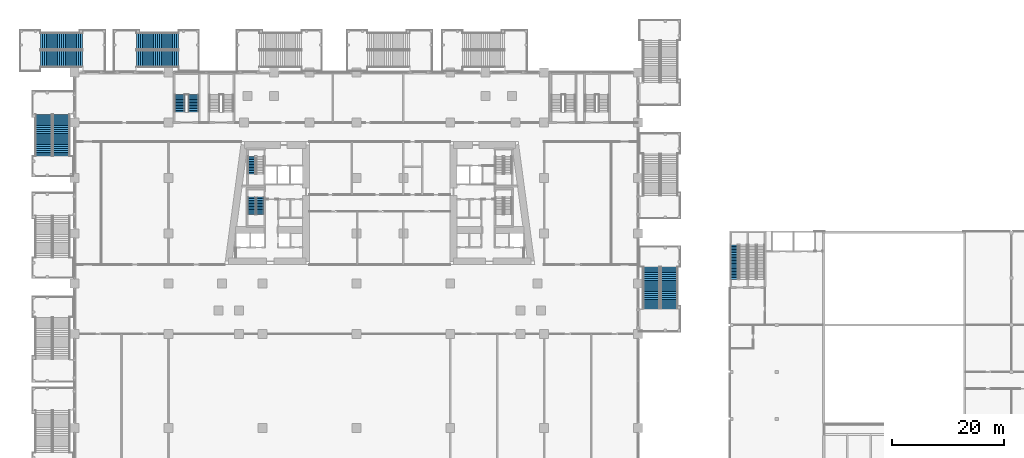
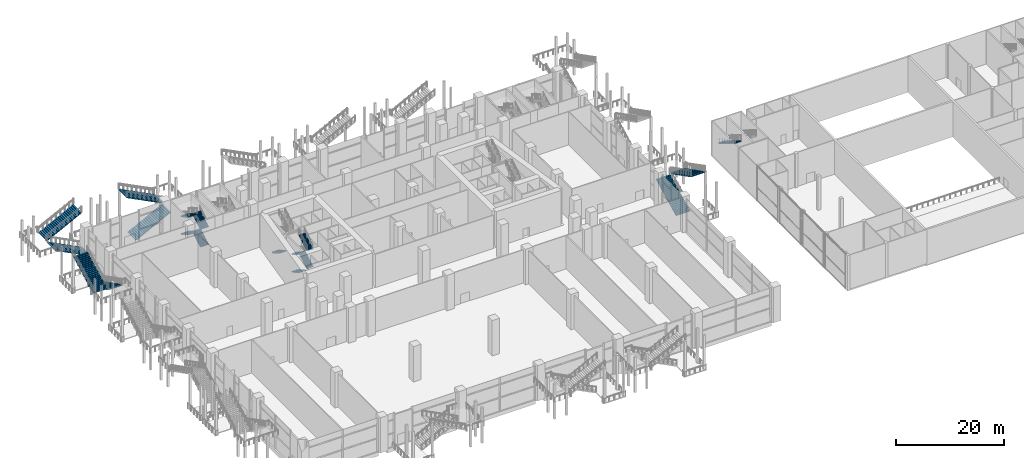
# One storey, part 34 of 52: 18 stair flights, 8 elements without a shape of their own.
"""IFC4 building model written with IfcOpenShell, lengths in metres."""

import ifcopenshell
import ifcopenshell.guid

model = None  # the IFC model being written
_history = None  # IfcOwnerHistory: only IFC2X3 demands one
_inside = {}  # id of a spatial element -> (the spatial element, [elements in it])
_under = {}  # id of a project, library or spatial element -> (it, [spatial elements below it])
_declared = {}  # id of a project -> (the project, [libraries it declares])
_typed = {}  # id of a type object -> (the type object, [elements of that type])
_made_of = {}  # id of a material, layer set ... -> (it, [elements and type objects made of it])


def new_model(schema):
    """Start an empty IFC model of exactly this schema.

    Asked for "IFC4X3", IfcOpenShell would pick the latest addendum, in which some entities
    have other attributes; the version numbers below select the first issue.
    IFC2X3 requires an IfcOwnerHistory on every rooted entity: one is made here for all.
    """
    global model, _history
    if schema == "IFC4X3":
        model = ifcopenshell.file(schema_version=(4, 3, 0, 0))
    else:
        model = ifcopenshell.file(schema=schema)
    _inside.clear()
    _under.clear()
    _declared.clear()
    _typed.clear()
    _made_of.clear()
    _history = None
    if model.schema == "IFC2X3":
        org = make("IfcOrganization", Name="unknown")
        user = make(
            "IfcPersonAndOrganization",
            ThePerson=make("IfcPerson", FamilyName="unknown"),
            TheOrganization=org,
        )
        app = make(
            "IfcApplication",
            ApplicationDeveloper=org,
            Version="unknown",
            ApplicationFullName="unknown",
            ApplicationIdentifier="unknown",
        )
        _history = make(
            "IfcOwnerHistory",
            OwningUser=user,
            OwningApplication=app,
            ChangeAction="ADDED",
            CreationDate=0,
        )
    return model


def make(cls, **values):
    """One entity of the class cls with the attributes given. An attribute that is None is left unset."""
    return model.create_entity(
        cls, **{name: value for name, value in values.items() if value is not None}
    )


def rooted(cls, **values):
    """An entity with a GlobalId (a new one), such as an element, a storey or a relation."""
    return make(cls, GlobalId=ifcopenshell.guid.new(), OwnerHistory=_history, **values)


def si_unit(unit_type, name, prefix=None):
    """IfcSIUnit, for example si_unit("LENGTHUNIT", "METRE", prefix="MILLI")."""
    return make("IfcSIUnit", UnitType=unit_type, Prefix=prefix, Name=name)


def assignment(units):
    """IfcUnitAssignment: the units of a project."""
    return None if units is None else make("IfcUnitAssignment", Units=units)


def point(xyz):
    """IfcCartesianPoint."""
    return None if xyz is None else make("IfcCartesianPoint", Coordinates=xyz)


def direction(xyz):
    """IfcDirection."""
    return None if xyz is None else make("IfcDirection", DirectionRatios=xyz)


def frame(location, z_axis=None, x_axis=None):
    """IfcAxis2Placement3D, a coordinate frame: its origin and axes. An axis left out is left unset."""
    return make(
        "IfcAxis2Placement3D",
        Location=point(location),
        Axis=direction(z_axis),
        RefDirection=direction(x_axis),
    )


def origin():
    """The frame at (0, 0, 0) with its axes left unset."""
    return frame((0.0, 0.0, 0.0))


def place(relative_to, where):
    """IfcLocalPlacement: puts the frame where relative to a parent placement (None: the world)."""
    return make(
        "IfcLocalPlacement", PlacementRelTo=relative_to, RelativePlacement=where
    )


def context(
    kind, dimensions, precision=None, world=None, true_north=None, identifier=None
):
    """IfcGeometricRepresentationContext, for example the 3D "Model" context."""
    return make(
        "IfcGeometricRepresentationContext",
        ContextIdentifier=identifier,
        ContextType=kind,
        CoordinateSpaceDimension=dimensions,
        Precision=precision,
        WorldCoordinateSystem=world,
        TrueNorth=true_north,
    )


def subcontext(parent, identifier, kind, view, scale=None):
    """IfcGeometricRepresentationSubContext, for example "Body" below "Model"."""
    return make(
        "IfcGeometricRepresentationSubContext",
        ContextIdentifier=identifier,
        ContextType=kind,
        ParentContext=parent,
        TargetScale=scale,
        TargetView=view,
    )


def project(units=None, contexts=None):
    """IfcProject with its units and contexts."""
    return rooted(
        "IfcProject",
        Name="project",
        RepresentationContexts=contexts,
        UnitsInContext=assignment(units),
    )


def spatial(cls, under=None, at=None, **own):
    """A site, building, storey or space (cls), placed at a placement, below another one or the project."""
    s = rooted(cls, ObjectPlacement=at, **own)
    if under is not None:
        _under.setdefault(under.id(), (under, []))[1].append(s)
    return s


def polyline(points):
    """IfcPolyline through the points."""
    return make("IfcPolyline", Points=[point(p) for p in points])


def outline(outer, holes=None, kind="AREA"):
    """IfcArbitraryClosedProfileDef: a profile drawn as a closed curve; with holes, ...WithVoids."""
    if holes is None:
        return make("IfcArbitraryClosedProfileDef", ProfileType=kind, OuterCurve=outer)
    return make(
        "IfcArbitraryProfileDefWithVoids",
        ProfileType=kind,
        OuterCurve=outer,
        InnerCurves=holes,
    )


def extrude(swept, where, along, depth):
    """IfcExtrudedAreaSolid: the profile swept, set in the frame where, extruded along a direction by depth."""
    return make(
        "IfcExtrudedAreaSolid",
        SweptArea=swept,
        Position=where,
        ExtrudedDirection=direction(along),
        Depth=depth,
    )


def shape(context_of_items, identifier, shape_type, items):
    """IfcShapeRepresentation: the items that make up one representation, for example the "Body"."""
    return make(
        "IfcShapeRepresentation",
        ContextOfItems=context_of_items,
        RepresentationIdentifier=identifier,
        RepresentationType=shape_type,
        Items=items,
    )


def material(Name=None, Category=None):
    """IfcMaterial."""
    return make("IfcMaterial", Name=Name, Category=Category)


def made_of(thing, what):
    """Note that an element or type object is made of a material, layer set ...; save() writes the relation."""
    if what is not None:
        _made_of.setdefault(what.id(), (what, []))[1].append(thing)
    return thing


def type_object(cls, material=None, **own):
    """A type object (cls), such as IfcWallType, which elements share."""
    return made_of(rooted(cls, **own), material)


def element(
    cls,
    number,
    at=None,
    inside=None,
    cuts=None,
    type_object=None,
    material=None,
    context=None,
    identifier="Body",
    shape_type=None,
    held_by="IfcProductDefinitionShape",
    body=None,
    shapes=None,
    **own,
):
    """One element of the class cls, such as IfcWall. Its Tag is "e" and its number.

    at: its placement. inside: the storey or other place that contains it. cuts: it is an
    opening in that element (IfcRelVoidsElement). A single representation is given by context,
    identifier, shape_type and body (its items); several are given by shapes. held_by: the class
    of the entity that holds the representations. save() writes the other relations.
    """
    e = rooted(cls, Tag="e%d" % number, ObjectPlacement=at, **own)
    if body is not None:
        shapes = [shape(context, identifier, shape_type, body)]
    if shapes is not None:
        e.Representation = make(held_by, Representations=shapes)
    if inside is not None:
        _inside.setdefault(inside.id(), (inside, []))[1].append(e)
    if cuts is not None:
        rooted(
            "IfcRelVoidsElement", RelatingBuildingElement=cuts, RelatedOpeningElement=e
        )
    if type_object is not None:
        _typed.setdefault(type_object.id(), (type_object, []))[1].append(e)
    return made_of(e, material)


def aggregate(whole, parts):
    """IfcRelAggregates: a whole, such as a stair, and the parts it consists of."""
    return rooted("IfcRelAggregates", RelatingObject=whole, RelatedObjects=parts)


def save(model, path):
    """Write the relations noted so far, then the file.

    IfcRelAggregates (storeys below a building ...), IfcRelContainedInSpatialStructure (elements
    in a storey), IfcRelDefinesByType, IfcRelAssociatesMaterial and IfcRelDeclares: one each for
    every whole, place, type object, material and project.
    """
    for whole, parts in _under.values():
        aggregate(whole, parts)
    for where, things in _inside.values():
        rooted(
            "IfcRelContainedInSpatialStructure",
            RelatedElements=things,
            RelatingStructure=where,
        )
    for kind, things in _typed.values():
        rooted("IfcRelDefinesByType", RelatedObjects=things, RelatingType=kind)
    for what, things in _made_of.values():
        rooted("IfcRelAssociatesMaterial", RelatedObjects=things, RelatingMaterial=what)
    for by, libraries in _declared.values():
        rooted("IfcRelDeclares", RelatingContext=by, RelatedDefinitions=libraries)
    model.write(path)


model = new_model("IFC4")

# Units and contexts
model_context = context("Model", 3, precision=1e-05, world=origin(), true_north=direction((0.0, 1.0)))
body_context = subcontext(model_context, "Body", "Model", "MODEL_VIEW")
ifc_project = project(units=[si_unit("LENGTHUNIT", "METRE"), si_unit("AREAUNIT", "SQUARE_METRE"), si_unit("VOLUMEUNIT", "CUBIC_METRE"), si_unit("PLANEANGLEUNIT", "RADIAN"), si_unit("MASSUNIT", "GRAM", prefix="KILO")], contexts=[model_context])

# Site, building, storey
site_placement = place(None, origin())
site = spatial("IfcSite", under=ifc_project, at=site_placement, CompositionType="ELEMENT")
building_placement = place(site_placement, origin())
building = spatial("IfcBuilding", under=site, at=building_placement, Name="Candeia Pilgrim Tower and Theatre", CompositionType="ELEMENT")
storey_placement = place(building_placement, frame((0.0, 0.0, 9.0)))
storey = spatial("IfcBuildingStorey", under=building, at=storey_placement, Name="L01", CompositionType="ELEMENT", Elevation=9.0)

# Stair, stair flights
ifc_material_1 = material(Name="Concrete C40/50", Category="concrete")
stair_type_1 = type_object("IfcStairType", Name="ST-EXT external escape stair", PredefinedType="HALF_TURN_STAIR", material=ifc_material_1)
stair_1_placement = place(storey_placement, origin())
stair_1 = element("IfcStair", 1, at=stair_1_placement, inside=storey, type_object=stair_type_1, Name="L01 External escape stair ES1", PredefinedType="HALF_TURN_STAIR")
stair_flight_type_1 = type_object("IfcStairFlightType", Name="SFL-EXT stair flight", PredefinedType="STRAIGHT", material=ifc_material_1)
stair_flight_1_placement = place(storey_placement, frame((162.0, 102.5, 0.0), z_axis=(0.0, 0.0, 1.0), x_axis=(0.0, 1.0, 0.0)))
stair_flight_1 = element("IfcStairFlight", 2, at=stair_flight_1_placement, type_object=stair_flight_type_1, Name="ES1 flight 1", NumberOfRisers=23, NumberOfTreads=22, PredefinedType="STRAIGHT", RiserHeight=0.173913043, TreadLength=0.34, context=body_context, shape_type="SweptSolid", body=[
    extrude(outline(polyline([(0.0, 0.0), (0.0, 0.173828125), (0.340087890625, 0.173828125), (0.340087890625, 0.347900390625), (0.679931640625, 0.347900390625), (0.679931640625, 0.521728515625), (1.02001953125, 0.521728515625), (1.02001953125, 0.695556640625), (1.360107421875, 0.695556640625), (1.360107421875, 0.86962890625), (1.699951171875, 0.86962890625), (1.699951171875, 1.04345703125), (2.0400390625, 1.04345703125), (2.0400390625, 1.21728515625), (2.3798828125, 1.21728515625), (2.3798828125, 1.391357421875), (2.719970703125, 1.391357421875), (2.719970703125, 1.565185546875), (3.06005859375, 1.565185546875), (3.06005859375, 1.739013671875), (3.39990234375, 1.739013671875), (3.39990234375, 1.9130859375), (3.739990234375, 1.9130859375), (3.739990234375, 2.0869140625), (4.080078125, 2.0869140625), (4.080078125, 2.260986328125), (4.419921875, 2.260986328125), (4.419921875, 2.434814453125), (4.760009765625, 2.434814453125), (4.760009765625, 2.608642578125), (5.10009765625, 2.608642578125), (5.10009765625, 2.78271484375), (5.43994140625, 2.78271484375), (5.43994140625, 2.95654296875), (5.780029296875, 2.95654296875), (5.780029296875, 3.13037109375), (6.1201171875, 3.13037109375), (6.1201171875, 3.304443359375), (6.4599609375, 3.304443359375), (6.4599609375, 3.478271484375), (6.800048828125, 3.478271484375), (6.800048828125, 3.652099609375), (7.139892578125, 3.652099609375), (7.139892578125, 3.826171875), (7.47998046875, 3.826171875), (7.47998046875, 4.0), (7.47998046875, 3.65771484375), (0.3291015625, 0.0), (0.0, 0.0)])), frame((0.0, 1.5, 0.0), z_axis=(0.0, -1.0, 0.0), x_axis=(1.0, 0.0, 0.0)), (0.0, 0.0, 1.0), 3.0),
])
stair_flight_2_placement = place(storey_placement, frame((165.14990234375, 109.97998046875, 4.0), z_axis=(0.0, 0.0, 1.0), x_axis=(0.0, -1.0, 0.0)))
stair_flight_2 = element("IfcStairFlight", 3, at=stair_flight_2_placement, type_object=stair_flight_type_1, Name="ES1 flight 2", NumberOfRisers=23, NumberOfTreads=22, PredefinedType="STRAIGHT", RiserHeight=0.173913043, TreadLength=0.34, context=body_context, shape_type="SweptSolid", body=[
    extrude(outline(polyline([(0.0, 0.0), (0.0, 0.173828125), (0.340087890625, 0.173828125), (0.340087890625, 0.347900390625), (0.679931640625, 0.347900390625), (0.679931640625, 0.521728515625), (1.02001953125, 0.521728515625), (1.02001953125, 0.695556640625), (1.360107421875, 0.695556640625), (1.360107421875, 0.86962890625), (1.699951171875, 0.86962890625), (1.699951171875, 1.04345703125), (2.0400390625, 1.04345703125), (2.0400390625, 1.21728515625), (2.3798828125, 1.21728515625), (2.3798828125, 1.391357421875), (2.719970703125, 1.391357421875), (2.719970703125, 1.565185546875), (3.06005859375, 1.565185546875), (3.06005859375, 1.739013671875), (3.39990234375, 1.739013671875), (3.39990234375, 1.9130859375), (3.739990234375, 1.9130859375), (3.739990234375, 2.0869140625), (4.080078125, 2.0869140625), (4.080078125, 2.260986328125), (4.419921875, 2.260986328125), (4.419921875, 2.434814453125), (4.760009765625, 2.434814453125), (4.760009765625, 2.608642578125), (5.10009765625, 2.608642578125), (5.10009765625, 2.78271484375), (5.43994140625, 2.78271484375), (5.43994140625, 2.95654296875), (5.780029296875, 2.95654296875), (5.780029296875, 3.13037109375), (6.1201171875, 3.13037109375), (6.1201171875, 3.304443359375), (6.4599609375, 3.304443359375), (6.4599609375, 3.478271484375), (6.800048828125, 3.478271484375), (6.800048828125, 3.652099609375), (7.139892578125, 3.652099609375), (7.139892578125, 3.826171875), (7.47998046875, 3.826171875), (7.47998046875, 4.0), (7.47998046875, 3.65771484375), (0.3291015625, 0.0), (0.0, 0.0)])), frame((0.0, 1.5, 0.0), z_axis=(0.0, -1.0, 0.0), x_axis=(1.0, 0.0, 0.0)), (0.0, 0.0, 1.0), 3.0),
])
aggregate(stair_1, [stair_flight_1, stair_flight_2])

stair_2_placement = place(storey_placement, origin())
stair_2 = element("IfcStair", 4, at=stair_2_placement, inside=storey, type_object=stair_type_1, Name="L01 External escape stair ES3", PredefinedType="HALF_TURN_STAIR")
stair_flight_3_placement = place(storey_placement, frame((60.199951171875, 147.199951171875, 0.0), z_axis=(0.0, 0.0, 1.0), x_axis=(-1.0, 0.0, 0.0)))
stair_flight_3 = element("IfcStairFlight", 5, at=stair_flight_3_placement, type_object=stair_flight_type_1, Name="ES3 flight 1", NumberOfRisers=23, NumberOfTreads=22, PredefinedType="STRAIGHT", RiserHeight=0.173913043, TreadLength=0.34, context=body_context, shape_type="SweptSolid", body=[
    extrude(outline(polyline([(0.0, 0.0), (0.0, 0.173828125), (0.340087890625, 0.173828125), (0.340087890625, 0.347900390625), (0.679931640625, 0.347900390625), (0.679931640625, 0.521728515625), (1.02001953125, 0.521728515625), (1.02001953125, 0.695556640625), (1.360107421875, 0.695556640625), (1.360107421875, 0.86962890625), (1.699951171875, 0.86962890625), (1.699951171875, 1.04345703125), (2.0400390625, 1.04345703125), (2.0400390625, 1.21728515625), (2.3798828125, 1.21728515625), (2.3798828125, 1.391357421875), (2.719970703125, 1.391357421875), (2.719970703125, 1.565185546875), (3.06005859375, 1.565185546875), (3.06005859375, 1.739013671875), (3.39990234375, 1.739013671875), (3.39990234375, 1.9130859375), (3.739990234375, 1.9130859375), (3.739990234375, 2.0869140625), (4.080078125, 2.0869140625), (4.080078125, 2.260986328125), (4.419921875, 2.260986328125), (4.419921875, 2.434814453125), (4.760009765625, 2.434814453125), (4.760009765625, 2.608642578125), (5.10009765625, 2.608642578125), (5.10009765625, 2.78271484375), (5.43994140625, 2.78271484375), (5.43994140625, 2.95654296875), (5.780029296875, 2.95654296875), (5.780029296875, 3.13037109375), (6.1201171875, 3.13037109375), (6.1201171875, 3.304443359375), (6.4599609375, 3.304443359375), (6.4599609375, 3.478271484375), (6.800048828125, 3.478271484375), (6.800048828125, 3.652099609375), (7.139892578125, 3.652099609375), (7.139892578125, 3.826171875), (7.47998046875, 3.826171875), (7.47998046875, 4.0), (7.47998046875, 3.65771484375), (0.3291015625, 0.0), (0.0, 0.0)])), frame((0.0, 1.5, 0.0), z_axis=(0.0, -1.0, 0.0), x_axis=(1.0, 0.0, 0.0)), (0.0, 0.0, 1.0), 3.0),
])
stair_flight_4_placement = place(storey_placement, frame((52.719970703125, 150.35009765625, 4.0), z_axis=(0.0, 0.0, 1.0), x_axis=(1.0, 0.0, 0.0)))
stair_flight_4 = element("IfcStairFlight", 6, at=stair_flight_4_placement, type_object=stair_flight_type_1, Name="ES3 flight 2", NumberOfRisers=23, NumberOfTreads=22, PredefinedType="STRAIGHT", RiserHeight=0.173913043, TreadLength=0.34, context=body_context, shape_type="SweptSolid", body=[
    extrude(outline(polyline([(0.0, 0.0), (0.0, 0.173828125), (0.340087890625, 0.173828125), (0.340087890625, 0.347900390625), (0.679931640625, 0.347900390625), (0.679931640625, 0.521728515625), (1.02001953125, 0.521728515625), (1.02001953125, 0.695556640625), (1.360107421875, 0.695556640625), (1.360107421875, 0.86962890625), (1.699951171875, 0.86962890625), (1.699951171875, 1.04345703125), (2.0400390625, 1.04345703125), (2.0400390625, 1.21728515625), (2.3798828125, 1.21728515625), (2.3798828125, 1.391357421875), (2.719970703125, 1.391357421875), (2.719970703125, 1.565185546875), (3.06005859375, 1.565185546875), (3.06005859375, 1.739013671875), (3.39990234375, 1.739013671875), (3.39990234375, 1.9130859375), (3.739990234375, 1.9130859375), (3.739990234375, 2.0869140625), (4.080078125, 2.0869140625), (4.080078125, 2.260986328125), (4.419921875, 2.260986328125), (4.419921875, 2.434814453125), (4.760009765625, 2.434814453125), (4.760009765625, 2.608642578125), (5.10009765625, 2.608642578125), (5.10009765625, 2.78271484375), (5.43994140625, 2.78271484375), (5.43994140625, 2.95654296875), (5.780029296875, 2.95654296875), (5.780029296875, 3.13037109375), (6.1201171875, 3.13037109375), (6.1201171875, 3.304443359375), (6.4599609375, 3.304443359375), (6.4599609375, 3.478271484375), (6.800048828125, 3.478271484375), (6.800048828125, 3.652099609375), (7.139892578125, 3.652099609375), (7.139892578125, 3.826171875), (7.47998046875, 3.826171875), (7.47998046875, 4.0), (7.47998046875, 3.65771484375), (0.3291015625, 0.0), (0.0, 0.0)])), frame((0.0, 1.5, 0.0), z_axis=(0.0, -1.0, 0.0), x_axis=(1.0, 0.0, 0.0)), (0.0, 0.0, 1.0), 3.0),
])
aggregate(stair_2, [stair_flight_3, stair_flight_4])

stair_3_placement = place(storey_placement, origin())
stair_3 = element("IfcStair", 7, at=stair_3_placement, inside=storey, type_object=stair_type_1, Name="L01 External escape stair ES4", PredefinedType="HALF_TURN_STAIR")
stair_flight_5_placement = place(storey_placement, frame((69.89990234375, 147.199951171875, 0.0), z_axis=(0.0, 0.0, 1.0), x_axis=(1.0, 0.0, 0.0)))
stair_flight_5 = element("IfcStairFlight", 8, at=stair_flight_5_placement, type_object=stair_flight_type_1, Name="ES4 flight 1", NumberOfRisers=23, NumberOfTreads=22, PredefinedType="STRAIGHT", RiserHeight=0.173913043, TreadLength=0.34, context=body_context, shape_type="SweptSolid", body=[
    extrude(outline(polyline([(0.0, 0.0), (0.0, 0.173828125), (0.340087890625, 0.173828125), (0.340087890625, 0.347900390625), (0.679931640625, 0.347900390625), (0.679931640625, 0.521728515625), (1.02001953125, 0.521728515625), (1.02001953125, 0.695556640625), (1.360107421875, 0.695556640625), (1.360107421875, 0.86962890625), (1.699951171875, 0.86962890625), (1.699951171875, 1.04345703125), (2.0400390625, 1.04345703125), (2.0400390625, 1.21728515625), (2.3798828125, 1.21728515625), (2.3798828125, 1.391357421875), (2.719970703125, 1.391357421875), (2.719970703125, 1.565185546875), (3.06005859375, 1.565185546875), (3.06005859375, 1.739013671875), (3.39990234375, 1.739013671875), (3.39990234375, 1.9130859375), (3.739990234375, 1.9130859375), (3.739990234375, 2.0869140625), (4.080078125, 2.0869140625), (4.080078125, 2.260986328125), (4.419921875, 2.260986328125), (4.419921875, 2.434814453125), (4.760009765625, 2.434814453125), (4.760009765625, 2.608642578125), (5.10009765625, 2.608642578125), (5.10009765625, 2.78271484375), (5.43994140625, 2.78271484375), (5.43994140625, 2.95654296875), (5.780029296875, 2.95654296875), (5.780029296875, 3.13037109375), (6.1201171875, 3.13037109375), (6.1201171875, 3.304443359375), (6.4599609375, 3.304443359375), (6.4599609375, 3.478271484375), (6.800048828125, 3.478271484375), (6.800048828125, 3.652099609375), (7.139892578125, 3.652099609375), (7.139892578125, 3.826171875), (7.47998046875, 3.826171875), (7.47998046875, 4.0), (7.47998046875, 3.65771484375), (0.3291015625, 0.0), (0.0, 0.0)])), frame((0.0, 1.5, 0.0), z_axis=(0.0, -1.0, 0.0), x_axis=(1.0, 0.0, 0.0)), (0.0, 0.0, 1.0), 3.0),
])
stair_flight_6_placement = place(storey_placement, frame((77.3798828125, 150.35009765625, 4.0), z_axis=(0.0, 0.0, 1.0), x_axis=(-1.0, 0.0, 0.0)))
stair_flight_6 = element("IfcStairFlight", 9, at=stair_flight_6_placement, type_object=stair_flight_type_1, Name="ES4 flight 2", NumberOfRisers=23, NumberOfTreads=22, PredefinedType="STRAIGHT", RiserHeight=0.173913043, TreadLength=0.34, context=body_context, shape_type="SweptSolid", body=[
    extrude(outline(polyline([(0.0, 0.0), (0.0, 0.173828125), (0.340087890625, 0.173828125), (0.340087890625, 0.347900390625), (0.679931640625, 0.347900390625), (0.679931640625, 0.521728515625), (1.02001953125, 0.521728515625), (1.02001953125, 0.695556640625), (1.360107421875, 0.695556640625), (1.360107421875, 0.86962890625), (1.699951171875, 0.86962890625), (1.699951171875, 1.04345703125), (2.0400390625, 1.04345703125), (2.0400390625, 1.21728515625), (2.3798828125, 1.21728515625), (2.3798828125, 1.391357421875), (2.719970703125, 1.391357421875), (2.719970703125, 1.565185546875), (3.06005859375, 1.565185546875), (3.06005859375, 1.739013671875), (3.39990234375, 1.739013671875), (3.39990234375, 1.9130859375), (3.739990234375, 1.9130859375), (3.739990234375, 2.0869140625), (4.080078125, 2.0869140625), (4.080078125, 2.260986328125), (4.419921875, 2.260986328125), (4.419921875, 2.434814453125), (4.760009765625, 2.434814453125), (4.760009765625, 2.608642578125), (5.10009765625, 2.608642578125), (5.10009765625, 2.78271484375), (5.43994140625, 2.78271484375), (5.43994140625, 2.95654296875), (5.780029296875, 2.95654296875), (5.780029296875, 3.13037109375), (6.1201171875, 3.13037109375), (6.1201171875, 3.304443359375), (6.4599609375, 3.304443359375), (6.4599609375, 3.478271484375), (6.800048828125, 3.478271484375), (6.800048828125, 3.652099609375), (7.139892578125, 3.652099609375), (7.139892578125, 3.826171875), (7.47998046875, 3.826171875), (7.47998046875, 4.0), (7.47998046875, 3.65771484375), (0.3291015625, 0.0), (0.0, 0.0)])), frame((0.0, 1.5, 0.0), z_axis=(0.0, -1.0, 0.0), x_axis=(1.0, 0.0, 0.0)), (0.0, 0.0, 1.0), 3.0),
])
aggregate(stair_3, [stair_flight_5, stair_flight_6])

stair_4_placement = place(storey_placement, origin())
stair_4 = element("IfcStair", 10, at=stair_4_placement, inside=storey, type_object=stair_type_1, Name="L01 External escape stair ES13", PredefinedType="HALF_TURN_STAIR")
stair_flight_7_placement = place(storey_placement, frame((56.39990234375, 137.300048828125, 0.0), z_axis=(0.0, 0.0, 1.0), x_axis=(0.0, -1.0, 0.0)))
stair_flight_7 = element("IfcStairFlight", 11, at=stair_flight_7_placement, type_object=stair_flight_type_1, Name="ES13 flight 1", NumberOfRisers=23, NumberOfTreads=22, PredefinedType="STRAIGHT", RiserHeight=0.173913043, TreadLength=0.34, context=body_context, shape_type="SweptSolid", body=[
    extrude(outline(polyline([(0.0, 0.0), (0.0, 0.173828125), (0.340087890625, 0.173828125), (0.340087890625, 0.347900390625), (0.679931640625, 0.347900390625), (0.679931640625, 0.521728515625), (1.02001953125, 0.521728515625), (1.02001953125, 0.695556640625), (1.360107421875, 0.695556640625), (1.360107421875, 0.86962890625), (1.699951171875, 0.86962890625), (1.699951171875, 1.04345703125), (2.0400390625, 1.04345703125), (2.0400390625, 1.21728515625), (2.3798828125, 1.21728515625), (2.3798828125, 1.391357421875), (2.719970703125, 1.391357421875), (2.719970703125, 1.565185546875), (3.06005859375, 1.565185546875), (3.06005859375, 1.739013671875), (3.39990234375, 1.739013671875), (3.39990234375, 1.9130859375), (3.739990234375, 1.9130859375), (3.739990234375, 2.0869140625), (4.080078125, 2.0869140625), (4.080078125, 2.260986328125), (4.419921875, 2.260986328125), (4.419921875, 2.434814453125), (4.760009765625, 2.434814453125), (4.760009765625, 2.608642578125), (5.10009765625, 2.608642578125), (5.10009765625, 2.78271484375), (5.43994140625, 2.78271484375), (5.43994140625, 2.95654296875), (5.780029296875, 2.95654296875), (5.780029296875, 3.13037109375), (6.1201171875, 3.13037109375), (6.1201171875, 3.304443359375), (6.4599609375, 3.304443359375), (6.4599609375, 3.478271484375), (6.800048828125, 3.478271484375), (6.800048828125, 3.652099609375), (7.139892578125, 3.652099609375), (7.139892578125, 3.826171875), (7.47998046875, 3.826171875), (7.47998046875, 4.0), (7.47998046875, 3.65771484375), (0.3291015625, 0.0), (0.0, 0.0)])), frame((0.0, 1.5, 0.0), z_axis=(0.0, -1.0, 0.0), x_axis=(1.0, 0.0, 0.0)), (0.0, 0.0, 1.0), 3.0),
])
stair_flight_8_placement = place(storey_placement, frame((53.25, 129.820068359375, 4.0), z_axis=(0.0, 0.0, 1.0), x_axis=(0.0, 1.0, 0.0)))
stair_flight_8 = element("IfcStairFlight", 12, at=stair_flight_8_placement, type_object=stair_flight_type_1, Name="ES13 flight 2", NumberOfRisers=23, NumberOfTreads=22, PredefinedType="STRAIGHT", RiserHeight=0.173913043, TreadLength=0.34, context=body_context, shape_type="SweptSolid", body=[
    extrude(outline(polyline([(0.0, 0.0), (0.0, 0.173828125), (0.340087890625, 0.173828125), (0.340087890625, 0.347900390625), (0.679931640625, 0.347900390625), (0.679931640625, 0.521728515625), (1.02001953125, 0.521728515625), (1.02001953125, 0.695556640625), (1.360107421875, 0.695556640625), (1.360107421875, 0.86962890625), (1.699951171875, 0.86962890625), (1.699951171875, 1.04345703125), (2.0400390625, 1.04345703125), (2.0400390625, 1.21728515625), (2.3798828125, 1.21728515625), (2.3798828125, 1.391357421875), (2.719970703125, 1.391357421875), (2.719970703125, 1.565185546875), (3.06005859375, 1.565185546875), (3.06005859375, 1.739013671875), (3.39990234375, 1.739013671875), (3.39990234375, 1.9130859375), (3.739990234375, 1.9130859375), (3.739990234375, 2.0869140625), (4.080078125, 2.0869140625), (4.080078125, 2.260986328125), (4.419921875, 2.260986328125), (4.419921875, 2.434814453125), (4.760009765625, 2.434814453125), (4.760009765625, 2.608642578125), (5.10009765625, 2.608642578125), (5.10009765625, 2.78271484375), (5.43994140625, 2.78271484375), (5.43994140625, 2.95654296875), (5.780029296875, 2.95654296875), (5.780029296875, 3.13037109375), (6.1201171875, 3.13037109375), (6.1201171875, 3.304443359375), (6.4599609375, 3.304443359375), (6.4599609375, 3.478271484375), (6.800048828125, 3.478271484375), (6.800048828125, 3.652099609375), (7.139892578125, 3.652099609375), (7.139892578125, 3.826171875), (7.47998046875, 3.826171875), (7.47998046875, 4.0), (7.47998046875, 3.65771484375), (0.3291015625, 0.0), (0.0, 0.0)])), frame((0.0, 1.5, 0.0), z_axis=(0.0, -1.0, 0.0), x_axis=(1.0, 0.0, 0.0)), (0.0, 0.0, 1.0), 3.0),
])
aggregate(stair_4, [stair_flight_7, stair_flight_8])

stair_type_2 = type_object("IfcStairType", Name="ST-POD dog-leg escape stair", PredefinedType="HALF_TURN_STAIR", material=ifc_material_1)
stair_5_placement = place(storey_placement, origin())
stair_5 = element("IfcStair", 13, at=stair_5_placement, inside=storey, type_object=stair_type_2, Name="L01 Escape stair PS1", PredefinedType="HALF_TURN_STAIR")
stair_flight_type_2 = type_object("IfcStairFlightType", Name="SFL-POD stair flight", PredefinedType="STRAIGHT", material=ifc_material_1)
stair_flight_9_placement = place(storey_placement, frame((80.074951171875, 137.72509765625, 0.0), z_axis=(0.0, 0.0, 1.0), x_axis=(0.0, 1.0, 0.0)))
stair_flight_9 = element("IfcStairFlight", 14, at=stair_flight_9_placement, type_object=stair_flight_type_2, Name="PS1 flight 1", NumberOfRisers=12, NumberOfTreads=11, PredefinedType="STRAIGHT", RiserHeight=0.166666667, TreadLength=0.28, context=body_context, shape_type="SweptSolid", body=[
    extrude(outline(polyline([(0.0, 0.0), (0.0, 0.166748046875), (0.280029296875, 0.166748046875), (0.280029296875, 0.333251953125), (0.56005859375, 0.333251953125), (0.56005859375, 0.5), (0.840087890625, 0.5), (0.840087890625, 0.666748046875), (1.1201171875, 0.666748046875), (1.1201171875, 0.833251953125), (1.39990234375, 0.833251953125), (1.39990234375, 1.0), (1.679931640625, 1.0), (1.679931640625, 1.166748046875), (1.9599609375, 1.166748046875), (1.9599609375, 1.333251953125), (2.239990234375, 1.333251953125), (2.239990234375, 1.5), (2.52001953125, 1.5), (2.52001953125, 1.666748046875), (2.800048828125, 1.666748046875), (2.800048828125, 1.833251953125), (3.080078125, 1.833251953125), (3.080078125, 2.0), (3.080078125, 1.658935546875), (0.29296875, 0.0), (0.0, 0.0)])), frame((0.0, 0.89990234375, 0.0), z_axis=(0.0, -1.0, 0.0), x_axis=(1.0, 0.0, 0.0)), (0.0, 0.0, 1.0), 1.800048828125),
])
stair_flight_10_placement = place(storey_placement, frame((77.625, 140.804931640625, 2.0), z_axis=(0.0, 0.0, 1.0), x_axis=(0.0, -1.0, 0.0)))
stair_flight_10 = element("IfcStairFlight", 15, at=stair_flight_10_placement, type_object=stair_flight_type_2, Name="PS1 flight 2", NumberOfRisers=12, NumberOfTreads=11, PredefinedType="STRAIGHT", RiserHeight=0.166666667, TreadLength=0.28, context=body_context, shape_type="SweptSolid", body=[
    extrude(outline(polyline([(0.0, 0.0), (0.0, 0.166748046875), (0.280029296875, 0.166748046875), (0.280029296875, 0.333251953125), (0.56005859375, 0.333251953125), (0.56005859375, 0.5), (0.840087890625, 0.5), (0.840087890625, 0.666748046875), (1.1201171875, 0.666748046875), (1.1201171875, 0.833251953125), (1.39990234375, 0.833251953125), (1.39990234375, 1.0), (1.679931640625, 1.0), (1.679931640625, 1.166748046875), (1.9599609375, 1.166748046875), (1.9599609375, 1.333251953125), (2.239990234375, 1.333251953125), (2.239990234375, 1.5), (2.52001953125, 1.5), (2.52001953125, 1.666748046875), (2.800048828125, 1.666748046875), (2.800048828125, 1.833251953125), (3.080078125, 1.833251953125), (3.080078125, 2.0), (3.080078125, 1.658935546875), (0.29296875, 0.0), (0.0, 0.0)])), frame((0.0, 0.89990234375, 0.0), z_axis=(0.0, -1.0, 0.0), x_axis=(1.0, 0.0, 0.0)), (0.0, 0.0, 1.0), 1.800048828125),
])
stair_flight_11_placement = place(storey_placement, frame((80.074951171875, 137.72509765625, 4.0), z_axis=(0.0, 0.0, 1.0), x_axis=(0.0, 1.0, 0.0)))
stair_flight_11 = element("IfcStairFlight", 16, at=stair_flight_11_placement, type_object=stair_flight_type_2, Name="PS1 flight 3", NumberOfRisers=12, NumberOfTreads=11, PredefinedType="STRAIGHT", RiserHeight=0.166666667, TreadLength=0.28, context=body_context, shape_type="SweptSolid", body=[
    extrude(outline(polyline([(0.0, 0.0), (0.0, 0.166748046875), (0.280029296875, 0.166748046875), (0.280029296875, 0.333251953125), (0.56005859375, 0.333251953125), (0.56005859375, 0.5), (0.840087890625, 0.5), (0.840087890625, 0.666748046875), (1.1201171875, 0.666748046875), (1.1201171875, 0.833251953125), (1.39990234375, 0.833251953125), (1.39990234375, 1.0), (1.679931640625, 1.0), (1.679931640625, 1.166748046875), (1.9599609375, 1.166748046875), (1.9599609375, 1.333251953125), (2.239990234375, 1.333251953125), (2.239990234375, 1.5), (2.52001953125, 1.5), (2.52001953125, 1.666748046875), (2.800048828125, 1.666748046875), (2.800048828125, 1.833251953125), (3.080078125, 1.833251953125), (3.080078125, 2.0), (3.080078125, 1.658935546875), (0.29296875, 0.0), (0.0, 0.0)])), frame((0.0, 0.89990234375, 0.0), z_axis=(0.0, -1.0, 0.0), x_axis=(1.0, 0.0, 0.0)), (0.0, 0.0, 1.0), 1.800048828125),
])
stair_flight_12_placement = place(storey_placement, frame((77.625, 140.804931640625, 6.0), z_axis=(0.0, 0.0, 1.0), x_axis=(0.0, -1.0, 0.0)))
stair_flight_12 = element("IfcStairFlight", 17, at=stair_flight_12_placement, type_object=stair_flight_type_2, Name="PS1 flight 4", NumberOfRisers=12, NumberOfTreads=11, PredefinedType="STRAIGHT", RiserHeight=0.166666667, TreadLength=0.28, context=body_context, shape_type="SweptSolid", body=[
    extrude(outline(polyline([(0.0, 0.0), (0.0, 0.166748046875), (0.280029296875, 0.166748046875), (0.280029296875, 0.333251953125), (0.56005859375, 0.333251953125), (0.56005859375, 0.5), (0.840087890625, 0.5), (0.840087890625, 0.666748046875), (1.1201171875, 0.666748046875), (1.1201171875, 0.833251953125), (1.39990234375, 0.833251953125), (1.39990234375, 1.0), (1.679931640625, 1.0), (1.679931640625, 1.166748046875), (1.9599609375, 1.166748046875), (1.9599609375, 1.333251953125), (2.239990234375, 1.333251953125), (2.239990234375, 1.5), (2.52001953125, 1.5), (2.52001953125, 1.666748046875), (2.800048828125, 1.666748046875), (2.800048828125, 1.833251953125), (3.080078125, 1.833251953125), (3.080078125, 2.0), (3.080078125, 1.658935546875), (0.29296875, 0.0), (0.0, 0.0)])), frame((0.0, 0.89990234375, 0.0), z_axis=(0.0, -1.0, 0.0), x_axis=(1.0, 0.0, 0.0)), (0.0, 0.0, 1.0), 1.800048828125),
])
aggregate(stair_5, [stair_flight_9, stair_flight_10, stair_flight_11, stair_flight_12])

stair_type_3 = type_object("IfcStairType", Name="ST-TWR dog-leg escape stair", PredefinedType="HALF_TURN_STAIR", material=ifc_material_1)
stair_6_placement = place(storey_placement, origin())
stair_6 = element("IfcStair", 18, at=stair_6_placement, inside=storey, type_object=stair_type_3, Name="L01 Escape stair ST1", PredefinedType="HALF_TURN_STAIR")
stair_flight_type_3 = type_object("IfcStairFlightType", Name="SFL-RC stair flight", PredefinedType="STRAIGHT", material=ifc_material_1)
stair_flight_13_placement = place(storey_placement, frame((90.47705078125, 122.47509765625, 0.0), z_axis=(0.0, 0.0, 1.0), x_axis=(0.0, -1.0, 0.0)))
stair_flight_13 = element("IfcStairFlight", 19, at=stair_flight_13_placement, type_object=stair_flight_type_3, Name="ST1 flight 1", NumberOfRisers=12, NumberOfTreads=11, PredefinedType="STRAIGHT", RiserHeight=0.166666667, TreadLength=0.28, context=body_context, shape_type="SweptSolid", body=[
    extrude(outline(polyline([(0.0, 0.0), (0.0, 0.166748046875), (0.280029296875, 0.166748046875), (0.280029296875, 0.333251953125), (0.56005859375, 0.333251953125), (0.56005859375, 0.5), (0.840087890625, 0.5), (0.840087890625, 0.666748046875), (1.1201171875, 0.666748046875), (1.1201171875, 0.833251953125), (1.39990234375, 0.833251953125), (1.39990234375, 1.0), (1.679931640625, 1.0), (1.679931640625, 1.166748046875), (1.9599609375, 1.166748046875), (1.9599609375, 1.333251953125), (2.239990234375, 1.333251953125), (2.239990234375, 1.5), (2.52001953125, 1.5), (2.52001953125, 1.666748046875), (2.800048828125, 1.666748046875), (2.800048828125, 1.833251953125), (3.080078125, 1.833251953125), (3.080078125, 2.0), (3.080078125, 1.658935546875), (0.29296875, 0.0), (0.0, 0.0)])), frame((0.0, 0.675048828125, 0.0), z_axis=(0.0, -1.0, 0.0), x_axis=(1.0, 0.0, 0.0)), (0.0, 0.0, 1.0), 1.35009765625),
])
stair_flight_14_placement = place(storey_placement, frame((92.027099609375, 119.39501953125, 2.0), z_axis=(0.0, 0.0, 1.0), x_axis=(0.0, 1.0, 0.0)))
stair_flight_14 = element("IfcStairFlight", 20, at=stair_flight_14_placement, type_object=stair_flight_type_3, Name="ST1 flight 2", NumberOfRisers=12, NumberOfTreads=11, PredefinedType="STRAIGHT", RiserHeight=0.166666667, TreadLength=0.28, context=body_context, shape_type="SweptSolid", body=[
    extrude(outline(polyline([(0.0, 0.0), (0.0, 0.166748046875), (0.280029296875, 0.166748046875), (0.280029296875, 0.333251953125), (0.56005859375, 0.333251953125), (0.56005859375, 0.5), (0.840087890625, 0.5), (0.840087890625, 0.666748046875), (1.1201171875, 0.666748046875), (1.1201171875, 0.833251953125), (1.39990234375, 0.833251953125), (1.39990234375, 1.0), (1.679931640625, 1.0), (1.679931640625, 1.166748046875), (1.9599609375, 1.166748046875), (1.9599609375, 1.333251953125), (2.239990234375, 1.333251953125), (2.239990234375, 1.5), (2.52001953125, 1.5), (2.52001953125, 1.666748046875), (2.800048828125, 1.666748046875), (2.800048828125, 1.833251953125), (3.080078125, 1.833251953125), (3.080078125, 2.0), (3.080078125, 1.658935546875), (0.29296875, 0.0), (0.0, 0.0)])), frame((0.0, 0.675048828125, 0.0), z_axis=(0.0, -1.0, 0.0), x_axis=(1.0, 0.0, 0.0)), (0.0, 0.0, 1.0), 1.35009765625),
])
stair_flight_15_placement = place(storey_placement, frame((90.47705078125, 122.47509765625, 4.0), z_axis=(0.0, 0.0, 1.0), x_axis=(0.0, -1.0, 0.0)))
stair_flight_15 = element("IfcStairFlight", 21, at=stair_flight_15_placement, type_object=stair_flight_type_3, Name="ST1 flight 3", NumberOfRisers=12, NumberOfTreads=11, PredefinedType="STRAIGHT", RiserHeight=0.166666667, TreadLength=0.28, context=body_context, shape_type="SweptSolid", body=[
    extrude(outline(polyline([(0.0, 0.0), (0.0, 0.166748046875), (0.280029296875, 0.166748046875), (0.280029296875, 0.333251953125), (0.56005859375, 0.333251953125), (0.56005859375, 0.5), (0.840087890625, 0.5), (0.840087890625, 0.666748046875), (1.1201171875, 0.666748046875), (1.1201171875, 0.833251953125), (1.39990234375, 0.833251953125), (1.39990234375, 1.0), (1.679931640625, 1.0), (1.679931640625, 1.166748046875), (1.9599609375, 1.166748046875), (1.9599609375, 1.333251953125), (2.239990234375, 1.333251953125), (2.239990234375, 1.5), (2.52001953125, 1.5), (2.52001953125, 1.666748046875), (2.800048828125, 1.666748046875), (2.800048828125, 1.833251953125), (3.080078125, 1.833251953125), (3.080078125, 2.0), (3.080078125, 1.658935546875), (0.29296875, 0.0), (0.0, 0.0)])), frame((0.0, 0.675048828125, 0.0), z_axis=(0.0, -1.0, 0.0), x_axis=(1.0, 0.0, 0.0)), (0.0, 0.0, 1.0), 1.35009765625),
])
stair_flight_16_placement = place(storey_placement, frame((92.027099609375, 119.39501953125, 6.0), z_axis=(0.0, 0.0, 1.0), x_axis=(0.0, 1.0, 0.0)))
stair_flight_16 = element("IfcStairFlight", 22, at=stair_flight_16_placement, type_object=stair_flight_type_3, Name="ST1 flight 4", NumberOfRisers=12, NumberOfTreads=11, PredefinedType="STRAIGHT", RiserHeight=0.166666667, TreadLength=0.28, context=body_context, shape_type="SweptSolid", body=[
    extrude(outline(polyline([(0.0, 0.0), (0.0, 0.166748046875), (0.280029296875, 0.166748046875), (0.280029296875, 0.333251953125), (0.56005859375, 0.333251953125), (0.56005859375, 0.5), (0.840087890625, 0.5), (0.840087890625, 0.666748046875), (1.1201171875, 0.666748046875), (1.1201171875, 0.833251953125), (1.39990234375, 0.833251953125), (1.39990234375, 1.0), (1.679931640625, 1.0), (1.679931640625, 1.166748046875), (1.9599609375, 1.166748046875), (1.9599609375, 1.333251953125), (2.239990234375, 1.333251953125), (2.239990234375, 1.5), (2.52001953125, 1.5), (2.52001953125, 1.666748046875), (2.800048828125, 1.666748046875), (2.800048828125, 1.833251953125), (3.080078125, 1.833251953125), (3.080078125, 2.0), (3.080078125, 1.658935546875), (0.29296875, 0.0), (0.0, 0.0)])), frame((0.0, 0.675048828125, 0.0), z_axis=(0.0, -1.0, 0.0), x_axis=(1.0, 0.0, 0.0)), (0.0, 0.0, 1.0), 1.35009765625),
])
aggregate(stair_6, [stair_flight_13, stair_flight_14, stair_flight_15, stair_flight_16])

# Stair, stair flight
stair_7_placement = place(storey_placement, origin())
stair_7 = element("IfcStair", 23, at=stair_7_placement, inside=storey, type_object=stair_type_3, Name="L01 Escape stair ST2", PredefinedType="HALF_TURN_STAIR")
stair_flight_17_placement = place(storey_placement, frame((90.47705078125, 129.72509765625, 0.0), z_axis=(0.0, 0.0, 1.0), x_axis=(0.0, -1.0, 0.0)))
stair_flight_17 = element("IfcStairFlight", 24, at=stair_flight_17_placement, type_object=stair_flight_type_3, Name="ST2 flight 1", NumberOfRisers=12, NumberOfTreads=11, PredefinedType="STRAIGHT", RiserHeight=0.166666667, TreadLength=0.28, context=body_context, shape_type="SweptSolid", body=[
    extrude(outline(polyline([(0.0, 0.0), (0.0, 0.166748046875), (0.280029296875, 0.166748046875), (0.280029296875, 0.333251953125), (0.56005859375, 0.333251953125), (0.56005859375, 0.5), (0.840087890625, 0.5), (0.840087890625, 0.666748046875), (1.1201171875, 0.666748046875), (1.1201171875, 0.833251953125), (1.39990234375, 0.833251953125), (1.39990234375, 1.0), (1.679931640625, 1.0), (1.679931640625, 1.166748046875), (1.9599609375, 1.166748046875), (1.9599609375, 1.333251953125), (2.239990234375, 1.333251953125), (2.239990234375, 1.5), (2.52001953125, 1.5), (2.52001953125, 1.666748046875), (2.800048828125, 1.666748046875), (2.800048828125, 1.833251953125), (3.080078125, 1.833251953125), (3.080078125, 2.0), (3.080078125, 1.658935546875), (0.29296875, 0.0), (0.0, 0.0)])), frame((0.0, 0.675048828125, 0.0), z_axis=(0.0, -1.0, 0.0), x_axis=(1.0, 0.0, 0.0)), (0.0, 0.0, 1.0), 1.35009765625),
])
aggregate(stair_7, [stair_flight_17])

ifc_material_2 = material(Name="Concrete C35/45", Category="concrete")
stair_type_4 = type_object("IfcStairType", Name="Theatre stair", PredefinedType="HALF_TURN_STAIR", material=ifc_material_2)
stair_8_placement = place(storey_placement, origin())
stair_8 = element("IfcStair", 25, at=stair_8_placement, inside=storey, type_object=stair_type_4, Name="L01 Theatre stair S1", PredefinedType="HALF_TURN_STAIR")
stair_flight_type_4 = type_object("IfcStairFlightType", Name="Theatre stair flight", PredefinedType="STRAIGHT", material=ifc_material_2)
stair_flight_18_placement = place(storey_placement, frame((176.800048828125, 113.93505859375, 4.0), z_axis=(0.0, 0.0, 1.0), x_axis=(0.0, -1.0, 0.0)))
stair_flight_18 = element("IfcStairFlight", 26, at=stair_flight_18_placement, type_object=stair_flight_type_4, Name="TS1 flight 2", NumberOfRisers=23, NumberOfTreads=22, PredefinedType="STRAIGHT", RiserHeight=0.173913043, TreadLength=0.28, context=body_context, shape_type="SweptSolid", body=[
    extrude(outline(polyline([(0.0, 0.0), (0.0, 0.173828125), (0.280029296875, 0.173828125), (0.280029296875, 0.347900390625), (0.56005859375, 0.347900390625), (0.56005859375, 0.521728515625), (0.840087890625, 0.521728515625), (0.840087890625, 0.695556640625), (1.1201171875, 0.695556640625), (1.1201171875, 0.86962890625), (1.39990234375, 0.86962890625), (1.39990234375, 1.04345703125), (1.679931640625, 1.04345703125), (1.679931640625, 1.21728515625), (1.9599609375, 1.21728515625), (1.9599609375, 1.391357421875), (2.239990234375, 1.391357421875), (2.239990234375, 1.565185546875), (2.52001953125, 1.565185546875), (2.52001953125, 1.739013671875), (2.800048828125, 1.739013671875), (2.800048828125, 1.9130859375), (3.080078125, 1.9130859375), (3.080078125, 2.0869140625), (3.360107421875, 2.0869140625), (3.360107421875, 2.260986328125), (3.639892578125, 2.260986328125), (3.639892578125, 2.434814453125), (3.919921875, 2.434814453125), (3.919921875, 2.608642578125), (4.199951171875, 2.608642578125), (4.199951171875, 2.78271484375), (4.47998046875, 2.78271484375), (4.47998046875, 2.95654296875), (4.760009765625, 2.95654296875), (4.760009765625, 3.13037109375), (5.0400390625, 3.13037109375), (5.0400390625, 3.304443359375), (5.320068359375, 3.304443359375), (5.320068359375, 3.478271484375), (5.60009765625, 3.478271484375), (5.60009765625, 3.652099609375), (5.8798828125, 3.652099609375), (5.8798828125, 3.826171875), (6.159912109375, 3.826171875), (6.159912109375, 4.0), (6.159912109375, 3.649658203125), (0.2841796875, 0.0), (0.0, 0.0)])), frame((0.0, 0.675048828125, 0.0), z_axis=(0.0, -1.0, 0.0), x_axis=(1.0, 0.0, 0.0)), (0.0, 0.0, 1.0), 1.35009765625),
])
aggregate(stair_8, [stair_flight_18])

save(model, "model.ifc")
